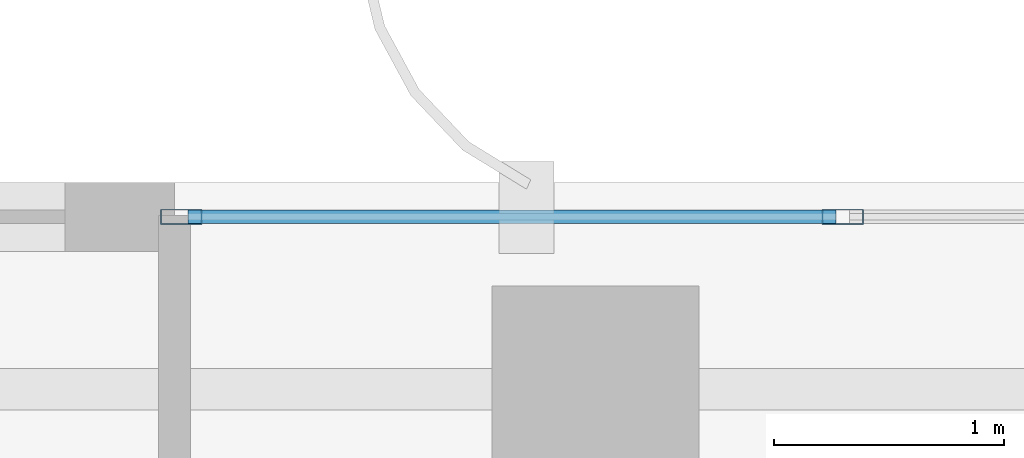
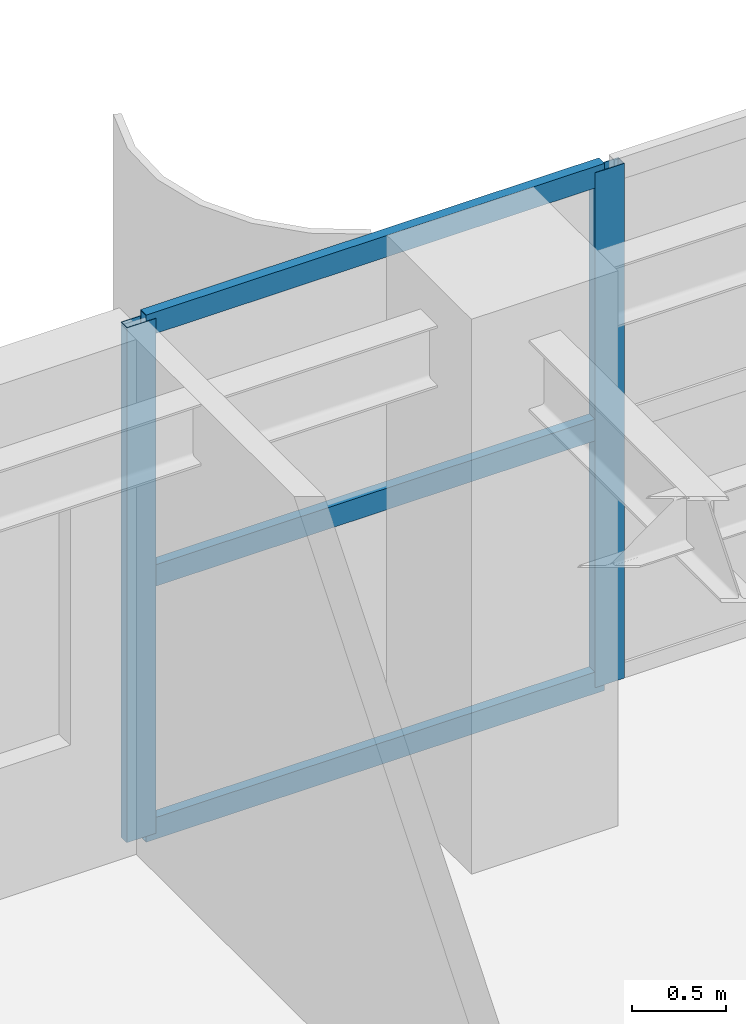
# One storey, part 12 of 23: 5 members, 1 element without a shape of its own.
"""IFC4 building model written with IfcOpenShell, lengths in metres."""

import ifcopenshell
import ifcopenshell.guid

model = None  # the IFC model being written
_history = None  # IfcOwnerHistory: only IFC2X3 demands one
_inside = {}  # id of a spatial element -> (the spatial element, [elements in it])
_under = {}  # id of a project, library or spatial element -> (it, [spatial elements below it])
_declared = {}  # id of a project -> (the project, [libraries it declares])
_typed = {}  # id of a type object -> (the type object, [elements of that type])
_made_of = {}  # id of a material, layer set ... -> (it, [elements and type objects made of it])


def new_model(schema):
    """Start an empty IFC model of exactly this schema.

    Asked for "IFC4X3", IfcOpenShell would pick the latest addendum, in which some entities
    have other attributes; the version numbers below select the first issue.
    IFC2X3 requires an IfcOwnerHistory on every rooted entity: one is made here for all.
    """
    global model, _history
    if schema == "IFC4X3":
        model = ifcopenshell.file(schema_version=(4, 3, 0, 0))
    else:
        model = ifcopenshell.file(schema=schema)
    _inside.clear()
    _under.clear()
    _declared.clear()
    _typed.clear()
    _made_of.clear()
    _history = None
    if model.schema == "IFC2X3":
        org = make("IfcOrganization", Name="unknown")
        user = make(
            "IfcPersonAndOrganization",
            ThePerson=make("IfcPerson", FamilyName="unknown"),
            TheOrganization=org,
        )
        app = make(
            "IfcApplication",
            ApplicationDeveloper=org,
            Version="unknown",
            ApplicationFullName="unknown",
            ApplicationIdentifier="unknown",
        )
        _history = make(
            "IfcOwnerHistory",
            OwningUser=user,
            OwningApplication=app,
            ChangeAction="ADDED",
            CreationDate=0,
        )
    return model


def make(cls, **values):
    """One entity of the class cls with the attributes given. An attribute that is None is left unset."""
    return model.create_entity(
        cls, **{name: value for name, value in values.items() if value is not None}
    )


def rooted(cls, **values):
    """An entity with a GlobalId (a new one), such as an element, a storey or a relation."""
    return make(cls, GlobalId=ifcopenshell.guid.new(), OwnerHistory=_history, **values)


def si_unit(unit_type, name, prefix=None):
    """IfcSIUnit, for example si_unit("LENGTHUNIT", "METRE", prefix="MILLI")."""
    return make("IfcSIUnit", UnitType=unit_type, Prefix=prefix, Name=name)


def assignment(units):
    """IfcUnitAssignment: the units of a project."""
    return None if units is None else make("IfcUnitAssignment", Units=units)


def point(xyz):
    """IfcCartesianPoint."""
    return None if xyz is None else make("IfcCartesianPoint", Coordinates=xyz)


def direction(xyz):
    """IfcDirection."""
    return None if xyz is None else make("IfcDirection", DirectionRatios=xyz)


def frame(location, z_axis=None, x_axis=None):
    """IfcAxis2Placement3D, a coordinate frame: its origin and axes. An axis left out is left unset."""
    return make(
        "IfcAxis2Placement3D",
        Location=point(location),
        Axis=direction(z_axis),
        RefDirection=direction(x_axis),
    )


def frame_2d(location, x_axis=None):
    """IfcAxis2Placement2D, a coordinate frame in the plane: its origin and x axis."""
    return make(
        "IfcAxis2Placement2D", Location=point(location), RefDirection=direction(x_axis)
    )


def origin():
    """The frame at (0, 0, 0) with its axes left unset."""
    return frame((0.0, 0.0, 0.0))


def origin_2d():
    """The frame at (0, 0) in the plane with its x axis left unset."""
    return frame_2d((0.0, 0.0))


def place(relative_to, where):
    """IfcLocalPlacement: puts the frame where relative to a parent placement (None: the world)."""
    return make(
        "IfcLocalPlacement", PlacementRelTo=relative_to, RelativePlacement=where
    )


def context(
    kind, dimensions, precision=None, world=None, true_north=None, identifier=None
):
    """IfcGeometricRepresentationContext, for example the 3D "Model" context."""
    return make(
        "IfcGeometricRepresentationContext",
        ContextIdentifier=identifier,
        ContextType=kind,
        CoordinateSpaceDimension=dimensions,
        Precision=precision,
        WorldCoordinateSystem=world,
        TrueNorth=true_north,
    )


def subcontext(parent, identifier, kind, view, scale=None):
    """IfcGeometricRepresentationSubContext, for example "Body" below "Model"."""
    return make(
        "IfcGeometricRepresentationSubContext",
        ContextIdentifier=identifier,
        ContextType=kind,
        ParentContext=parent,
        TargetScale=scale,
        TargetView=view,
    )


def project(units=None, contexts=None):
    """IfcProject with its units and contexts."""
    return rooted(
        "IfcProject",
        Name="project",
        RepresentationContexts=contexts,
        UnitsInContext=assignment(units),
    )


def spatial(cls, under=None, at=None, **own):
    """A site, building, storey or space (cls), placed at a placement, below another one or the project."""
    s = rooted(cls, ObjectPlacement=at, **own)
    if under is not None:
        _under.setdefault(under.id(), (under, []))[1].append(s)
    return s


def profile(cls, at=None, kind="AREA", **sizes):
    """A parametric profile (cls). Its sizes go by their IFC names, for example OverallWidth=200.0."""
    return make(cls, ProfileType=kind, Position=at, **sizes)


def hollow_rectangle(**sizes):
    """IfcRectangleHollowProfileDef."""
    return profile("IfcRectangleHollowProfileDef", **sizes)


def extrude(swept, where, along, depth):
    """IfcExtrudedAreaSolid: the profile swept, set in the frame where, extruded along a direction by depth."""
    return make(
        "IfcExtrudedAreaSolid",
        SweptArea=swept,
        Position=where,
        ExtrudedDirection=direction(along),
        Depth=depth,
    )


def shape(context_of_items, identifier, shape_type, items):
    """IfcShapeRepresentation: the items that make up one representation, for example the "Body"."""
    return make(
        "IfcShapeRepresentation",
        ContextOfItems=context_of_items,
        RepresentationIdentifier=identifier,
        RepresentationType=shape_type,
        Items=items,
    )


def source(mapping_origin, context_of_items, identifier, shape_type, items):
    """IfcRepresentationMap: a shape defined once, which mapped items show again and again."""
    return make(
        "IfcRepresentationMap",
        MappingOrigin=mapping_origin,
        MappedRepresentation=shape(context_of_items, identifier, shape_type, items),
    )


def transform(
    local_origin,
    x_axis=None,
    y_axis=None,
    z_axis=None,
    scale=None,
    scale2=None,
    scale3=None,
    uniform=True,
):
    """IfcCartesianTransformationOperator3D, or its non-uniform kind. x_axis, y_axis, z_axis: its Axis1, 2, 3."""
    if uniform:
        return make(
            "IfcCartesianTransformationOperator3D",
            Axis1=direction(x_axis),
            Axis2=direction(y_axis),
            LocalOrigin=point(local_origin),
            Scale=scale,
            Axis3=direction(z_axis),
        )
    return make(
        "IfcCartesianTransformationOperator3DnonUniform",
        Axis1=direction(x_axis),
        Axis2=direction(y_axis),
        LocalOrigin=point(local_origin),
        Scale=scale,
        Axis3=direction(z_axis),
        Scale2=scale2,
        Scale3=scale3,
    )


def mapped(mapping_source, mapping_target):
    """IfcMappedItem: shows the shape of a source again, moved by a transform."""
    return make(
        "IfcMappedItem", MappingSource=mapping_source, MappingTarget=mapping_target
    )


def material(Name=None, Category=None):
    """IfcMaterial."""
    return make("IfcMaterial", Name=Name, Category=Category)


def layer(
    of_material, thickness, ventilated=None, Name=None, Category=None, Priority=None
):
    """IfcMaterialLayer: one layer of a wall or slab, of a material (None: an air gap)."""
    return make(
        "IfcMaterialLayer",
        Material=of_material,
        LayerThickness=thickness,
        IsVentilated=ventilated,
        Name=Name,
        Category=Category,
        Priority=Priority,
    )


def layer_set(layers, Name=None):
    """IfcMaterialLayerSet."""
    return make("IfcMaterialLayerSet", MaterialLayers=layers, LayerSetName=Name)


def material_profile(
    of_material, cross_section, Name=None, Category=None, Priority=None
):
    """IfcMaterialProfile: a cross section and its material."""
    return make(
        "IfcMaterialProfile",
        Name=Name,
        Material=of_material,
        Profile=cross_section,
        Priority=Priority,
        Category=Category,
    )


def profile_set(profiles, Name=None, composite=None):
    """IfcMaterialProfileSet."""
    return make(
        "IfcMaterialProfileSet",
        Name=Name,
        MaterialProfiles=profiles,
        CompositeProfile=composite,
    )


def made_of(thing, what):
    """Note that an element or type object is made of a material, layer set ...; save() writes the relation."""
    if what is not None:
        _made_of.setdefault(what.id(), (what, []))[1].append(thing)
    return thing


def type_object(cls, material=None, **own):
    """A type object (cls), such as IfcWallType, which elements share."""
    return made_of(rooted(cls, **own), material)


def element(
    cls,
    number,
    at=None,
    inside=None,
    cuts=None,
    type_object=None,
    material=None,
    context=None,
    identifier="Body",
    shape_type=None,
    held_by="IfcProductDefinitionShape",
    body=None,
    shapes=None,
    **own,
):
    """One element of the class cls, such as IfcWall. Its Tag is "e" and its number.

    at: its placement. inside: the storey or other place that contains it. cuts: it is an
    opening in that element (IfcRelVoidsElement). A single representation is given by context,
    identifier, shape_type and body (its items); several are given by shapes. held_by: the class
    of the entity that holds the representations. save() writes the other relations.
    """
    e = rooted(cls, Tag="e%d" % number, ObjectPlacement=at, **own)
    if body is not None:
        shapes = [shape(context, identifier, shape_type, body)]
    if shapes is not None:
        e.Representation = make(held_by, Representations=shapes)
    if inside is not None:
        _inside.setdefault(inside.id(), (inside, []))[1].append(e)
    if cuts is not None:
        rooted(
            "IfcRelVoidsElement", RelatingBuildingElement=cuts, RelatedOpeningElement=e
        )
    if type_object is not None:
        _typed.setdefault(type_object.id(), (type_object, []))[1].append(e)
    return made_of(e, material)


def aggregate(whole, parts):
    """IfcRelAggregates: a whole, such as a stair, and the parts it consists of."""
    return rooted("IfcRelAggregates", RelatingObject=whole, RelatedObjects=parts)


def save(model, path):
    """Write the relations noted so far, then the file.

    IfcRelAggregates (storeys below a building ...), IfcRelContainedInSpatialStructure (elements
    in a storey), IfcRelDefinesByType, IfcRelAssociatesMaterial and IfcRelDeclares: one each for
    every whole, place, type object, material and project.
    """
    for whole, parts in _under.values():
        aggregate(whole, parts)
    for where, things in _inside.values():
        rooted(
            "IfcRelContainedInSpatialStructure",
            RelatedElements=things,
            RelatingStructure=where,
        )
    for kind, things in _typed.values():
        rooted("IfcRelDefinesByType", RelatedObjects=things, RelatingType=kind)
    for what, things in _made_of.values():
        rooted("IfcRelAssociatesMaterial", RelatedObjects=things, RelatingMaterial=what)
    for by, libraries in _declared.values():
        rooted("IfcRelDeclares", RelatingContext=by, RelatedDefinitions=libraries)
    model.write(path)


model = new_model("IFC4")

# Units and contexts
model_context = context("Model", 3, precision=1e-05, world=origin(), true_north=direction((0.0, 1.0)))
body_context = subcontext(model_context, "Body", "Model", "MODEL_VIEW")
ifc_project = project(units=[si_unit("LENGTHUNIT", "METRE"), si_unit("AREAUNIT", "SQUARE_METRE"), si_unit("VOLUMEUNIT", "CUBIC_METRE"), si_unit("PLANEANGLEUNIT", "RADIAN"), si_unit("MASSUNIT", "GRAM", prefix="KILO")], contexts=[model_context])

# Site, building, storey
site_placement = place(None, origin())
site = spatial("IfcSite", under=ifc_project, at=site_placement, CompositionType="ELEMENT")
building_placement = place(site_placement, origin())
building = spatial("IfcBuilding", under=site, at=building_placement, Name="Khoralis Quay Care Tower", CompositionType="ELEMENT")
storey_placement = place(building_placement, frame((0.0, 0.0, 173.699951171875)))
storey = spatial("IfcBuildingStorey", under=building, at=storey_placement, Name="L45", CompositionType="ELEMENT", Elevation=173.699951171875)

# Curtain wall, members
ifc_material = material(Name="Pale anodised aluminium", Category="aluminium")
ifc_layer = layer(ifc_material, 0.159912109375)
ifc_layer_set = layer_set([ifc_layer], Name="Pale anodised aluminium")
curtain_wall_type = type_object("IfcCurtainWallType", Name="CW-SYS-Z3", PredefinedType="NOTDEFINED", material=ifc_layer_set)
curtain_wall_placement = place(storey_placement, origin())
curtain_wall = element("IfcCurtainWall", 1, at=curtain_wall_placement, inside=storey, type_object=curtain_wall_type, Name="L45 Unitised Curtain Wall CW-L45-P1-E10", PredefinedType="NOTDEFINED")
ifc_material_profile_1 = material_profile(ifc_material, hollow_rectangle(XDim=0.06494140625, YDim=0.179931640625, WallThickness=0.00390625, at=origin_2d()), Name="Pale anodised aluminium")
ifc_profile_set_1 = profile_set([ifc_material_profile_1], Name="Pale anodised aluminium")
member_type_1 = type_object("IfcMemberType", Name="CW-MUL-180", PredefinedType="MULLION", material=ifc_profile_set_1)
shared_shape_1 = source(origin(), body_context, "Body", "SweptSolid", [
    extrude(hollow_rectangle(XDim=0.06494140625, YDim=0.179931640625, WallThickness=0.00390625, at=origin_2d()), origin(), (0.0, 0.0, 1.0), 3.340087890625),
])
member_1_placement = place(storey_placement, frame((18.173828125, 41.85009765625, 0.0), z_axis=(0.0, 0.0, 1.0), x_axis=(0.0, -1.0, 0.0)))
member_1 = element("IfcMember", 2, at=member_1_placement, type_object=member_type_1, Name="CW3 mullion 5", PredefinedType="MULLION", context=body_context, shape_type="MappedRepresentation", body=[
    mapped(shared_shape_1, transform((0.0, 0.0, 0.0), scale=1.0)),
])
member_2_placement = place(storey_placement, frame((15.300048828125, 41.85009765625, 0.0), z_axis=(0.0, 0.0, 1.0), x_axis=(0.0, -1.0, 0.0)))
member_2 = element("IfcMember", 3, at=member_2_placement, type_object=member_type_1, Name="CW3 mullion 6", PredefinedType="MULLION", context=body_context, shape_type="MappedRepresentation", body=[
    mapped(shared_shape_1, transform((0.0, 0.0, 0.0), scale=1.0)),
])
ifc_material_profile_2 = material_profile(ifc_material, hollow_rectangle(XDim=0.06005859375, YDim=0.139892578125, WallThickness=0.00390625, at=origin_2d()), Name="Pale anodised aluminium")
ifc_profile_set_2 = profile_set([ifc_material_profile_2], Name="Pale anodised aluminium")
member_type_2 = type_object("IfcMemberType", Name="CW-TRN-140", PredefinedType="USERDEFINED", material=ifc_profile_set_2)
shared_shape_2 = source(origin(), body_context, "Body", "SweptSolid", [
    extrude(hollow_rectangle(XDim=0.06005859375, YDim=0.139892578125, WallThickness=0.00390625, at=origin_2d()), origin(), (0.0, 0.0, 1.0), 2.813720703125),
])
member_3_placement = place(storey_placement, frame((18.143798828125, 41.85009765625, 0.030029296875), z_axis=(-1.0, 0.0, 0.0), x_axis=(0.0, -1.0, 0.0)))
member_3 = element("IfcMember", 4, at=member_3_placement, type_object=member_type_2, Name="CW3 transom 5.1", ObjectType="TRANSOM", PredefinedType="USERDEFINED", context=body_context, shape_type="MappedRepresentation", body=[
    mapped(shared_shape_2, transform((0.0, 0.0, 0.0), scale=1.0)),
])
member_4_placement = place(storey_placement, frame((18.143798828125, 41.85009765625, 1.670166015625), z_axis=(-1.0, 0.0, 0.0), x_axis=(0.0, -1.0, 0.0)))
member_4 = element("IfcMember", 5, at=member_4_placement, type_object=member_type_2, Name="CW3 transom 5.2", ObjectType="TRANSOM", PredefinedType="USERDEFINED", context=body_context, shape_type="MappedRepresentation", body=[
    mapped(shared_shape_2, transform((0.0, 0.0, 0.0), scale=1.0)),
])
member_5_placement = place(storey_placement, frame((18.143798828125, 41.85009765625, 3.31005859375), z_axis=(-1.0, 0.0, 0.0), x_axis=(0.0, -1.0, 0.0)))
member_5 = element("IfcMember", 6, at=member_5_placement, type_object=member_type_2, Name="CW3 transom 5.3", ObjectType="TRANSOM", PredefinedType="USERDEFINED", context=body_context, shape_type="MappedRepresentation", body=[
    mapped(shared_shape_2, transform((0.0, 0.0, 0.0), scale=1.0)),
])
aggregate(curtain_wall, [member_1, member_2, member_3, member_4, member_5])

save(model, "model.ifc")
